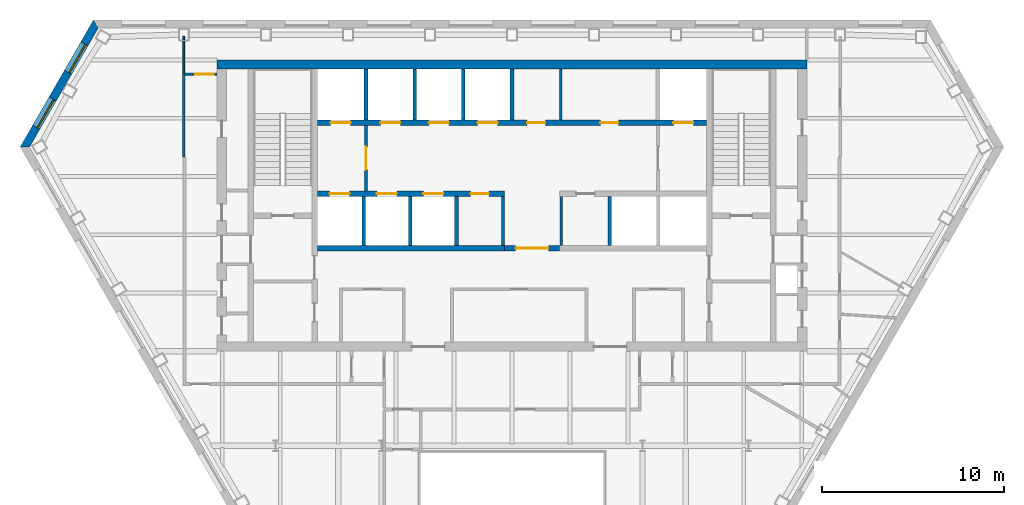
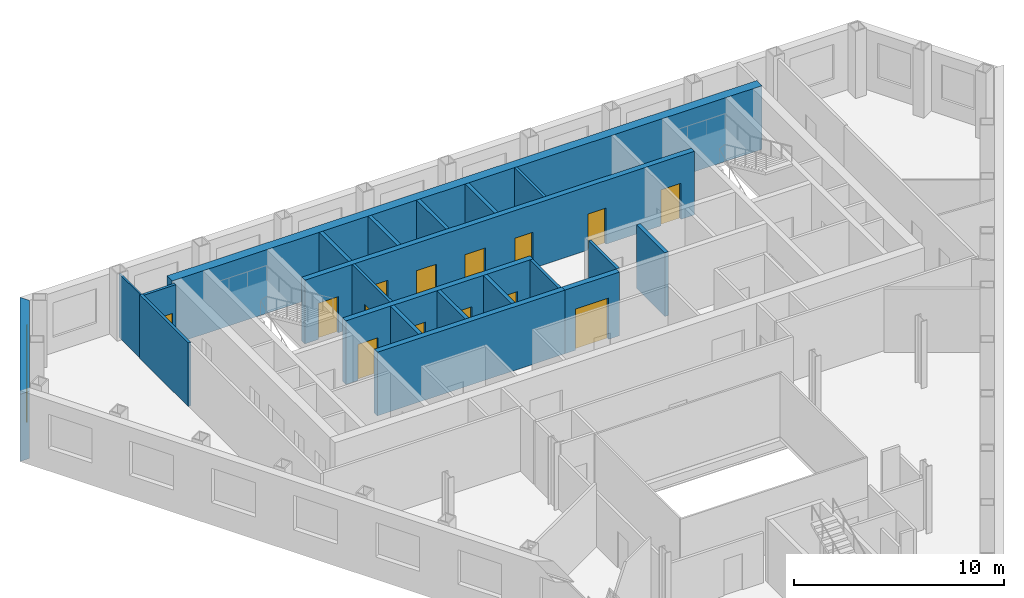
# One storey, part 6 of 11: 21 walls, 14 doors, 2 windows, 16 openings.
"""IFC4 building model written with IfcOpenShell, lengths in metres."""

from ifc_helpers import new_model, si_unit, direction, frame, frame_2d, origin, place, context, subcontext, project, spatial, polyline, rectangle, outline, extrude, material, layer, layer_set, type_object, element, fill, save


model = new_model("IFC4")

# Units and contexts
model_context = context("Model", 3, precision=1e-05, world=origin(), true_north=direction((0.0, 1.0)))
body_context = subcontext(model_context, "Body", "Model", "MODEL_VIEW")
ifc_project = project(units=[si_unit("LENGTHUNIT", "METRE"), si_unit("AREAUNIT", "SQUARE_METRE"), si_unit("VOLUMEUNIT", "CUBIC_METRE"), si_unit("PLANEANGLEUNIT", "RADIAN"), si_unit("MASSUNIT", "GRAM", prefix="KILO")], contexts=[model_context])

# Site, building, storey
site_placement = place(None, origin())
site = spatial("IfcSite", under=ifc_project, at=site_placement, CompositionType="ELEMENT")
building_placement = place(site_placement, origin())
building = spatial("IfcBuilding", under=site, at=building_placement, Name="Njiva Tower", CompositionType="ELEMENT")
storey_placement = place(building_placement, frame((0.0, 0.0, 182.7)))
storey = spatial("IfcBuildingStorey", under=building, at=storey_placement, Name="L40", CompositionType="ELEMENT", Elevation=182.7)

# Walls
ifc_material_1 = material(Name="Blockwork", Category="masonry")
ifc_layer_1 = layer(ifc_material_1, 0.15)
ifc_layer_set_1 = layer_set([ifc_layer_1], Name="Blockwork")
wall_type_1 = type_object("IfcWallType", Name="WT1 Compartment partition 150", PredefinedType="PARTITIONING", material=ifc_layer_set_1)
wall_1_placement = place(storey_placement, frame((2.675, 14.7, 0.0), z_axis=(0.0, 0.0, 1.0), x_axis=(0.0, 1.0, 0.0)))
element("IfcWall", 1, at=wall_1_placement, inside=storey, type_object=wall_type_1, Name="Partition CN5", PredefinedType="PARTITIONING", context=body_context, shape_type="SweptSolid", body=[
    extrude(rectangle(XDim=2.8, YDim=0.15, at=frame_2d((1.4, 0.0))), origin(), (0.0, 0.0, 1.0), 3.7),
])
for number, where, z_axis, x_axis, name in (
    (2, (-0.5, 7.8, 0.0), (0.0, 0.0, 1.0), (0.0, 1.0, 0.0), "Partition CS4"),
    (3, (2.7, 7.8, 0.0), (0.0, 0.0, 1.0), (0.0, 1.0, 0.0), "Partition CS5"),
):
    element("IfcWall", number, at=place(storey_placement, frame(where, z_axis=z_axis, x_axis=x_axis)), inside=storey, type_object=wall_type_1, Name=name, PredefinedType="PARTITIONING", context=body_context, shape_type="SweptSolid", body=[
        extrude(rectangle(XDim=2.7, YDim=0.15, at=frame_2d((1.35, 0.0))), origin(), (0.0, 0.0, 1.0), 3.7),
    ])
ifc_material_2 = material(Name="Concrete C60/75", Category="concrete")
ifc_layer_2 = layer(ifc_material_2, 0.5)
ifc_layer_set_2 = layer_set([ifc_layer_2], Name="Concrete C60/75")
wall_type_2 = type_object("IfcWallType", Name="WT13 Core wall 500", PredefinedType="SHEAR", material=ifc_layer_set_2)
wall_2_placement = place(storey_placement, frame((-16.2, 17.75, 0.0), z_axis=(0.0, 0.0, 1.0), x_axis=(1.0, 0.0, 0.0)))
element("IfcWall", 4, at=wall_2_placement, inside=storey, type_object=wall_type_2, Name="Core wall north", PredefinedType="SHEAR", context=body_context, shape_type="SweptSolid", body=[
    extrude(rectangle(XDim=32.4, YDim=0.5, at=frame_2d((16.2, 0.0))), origin(), (0.0, 0.0, 1.0), 3.7),
])

# Wall, opening, door
ifc_layer_3 = layer(ifc_material_1, 0.15)
ifc_layer_set_3 = layer_set([ifc_layer_3], Name="Blockwork")
wall_type_3 = type_object("IfcWallType", Name="WT2 Lobby partition 150", PredefinedType="PARTITIONING", material=ifc_layer_set_3)
wall_3_placement = place(storey_placement, frame((-8.025, 10.8, 0.0), z_axis=(0.0, 0.0, 1.0), x_axis=(0.0, 1.0, 0.0)))
wall_3 = element("IfcWall", 5, at=wall_3_placement, inside=storey, type_object=wall_type_3, Name="Firefighting lobby wall A", PredefinedType="PARTITIONING", context=body_context, shape_type="SweptSolid", body=[
    extrude(rectangle(XDim=3.6, YDim=0.15, at=frame_2d((1.8, 0.0))), origin(), (0.0, 0.0, 1.0), 3.7),
])
opening_1_placement = place(wall_3_placement, frame((1.175, 0.0, 0.0)))
opening_1 = element("IfcOpeningElement", 6, at=opening_1_placement, cuts=wall_3, Name="Opening S13-D913", PredefinedType="OPENING", context=body_context, shape_type="SweptSolid", body=[
    extrude(rectangle(XDim=1.25, YDim=2.1, at=frame_2d((0.625, 1.05))), frame((0.0, 0.085, 0.0), z_axis=(0.0, -1.0, 0.0), x_axis=(1.0, 0.0, 0.0)), (0.0, 0.0, 1.0), 0.17),
])
ifc_material_3 = material(Name="Glazed steel fire door", Category="steel")
door_type_1 = type_object("IfcDoorType", Name="D8 Vestibule corridor door 1250x2100 glazed", OperationType="SINGLE_SWING_LEFT", PredefinedType="DOOR", material=ifc_material_3)
door_1_placement = place(opening_1_placement, origin())
door_1 = element("IfcDoor", 7, at=door_1_placement, inside=storey, type_object=door_type_1, Name="Stair vestibule corridor door", OperationType="SINGLE_SWING_RIGHT", OverallHeight=2.1, OverallWidth=1.25, PredefinedType="DOOR", context=body_context, shape_type="SweptSolid", body=[
    extrude(rectangle(XDim=1.25, YDim=2.1, at=frame_2d((0.625, 1.05))), frame((0.0, 0.025, 0.0), z_axis=(0.0, -1.0, 0.0), x_axis=(1.0, 0.0, 0.0)), (0.0, 0.0, 1.0), 0.05),
])
fill(opening_1, door_1)

# Walls
ifc_material_4 = material(Name="Gypsum board on steel studs", Category="gypsum")
ifc_layer_4 = layer(ifc_material_4, 0.1)
ifc_layer_set_4 = layer_set([ifc_layer_4], Name="Gypsum board on steel studs")
wall_type_4 = type_object("IfcWallType", Name="WT20 Gypsum partition 100", PredefinedType="PARTITIONING", material=ifc_layer_set_4)
wall_4_placement = place(storey_placement, frame((-18.034, 17.297, 0.0), z_axis=(0.0, 0.0, 1.0), x_axis=(0.0, 1.0, 0.0)))
element("IfcWall", 8, at=wall_4_placement, inside=storey, type_object=wall_type_4, Name="Partition S13-P002", PredefinedType="PARTITIONING", context=body_context, shape_type="SweptSolid", body=[
    extrude(rectangle(XDim=2.003, YDim=0.1, at=frame_2d((1.0015, 0.0))), origin(), (0.0, 0.0, 1.0), 3.7),
])
ifc_layer_5 = layer(ifc_material_4, 0.15)
ifc_layer_set_5 = layer_set([ifc_layer_5], Name="Gypsum board on steel studs")
wall_type_5 = type_object("IfcWallType", Name="WT21 Compartment wall 150", PredefinedType="PARTITIONING", material=ifc_layer_set_5)
wall_5_placement = place(storey_placement, frame((-18.034, 12.677, 0.0), z_axis=(0.0, 0.0, 1.0), x_axis=(0.0, 1.0, 0.0)))
element("IfcWall", 9, at=wall_5_placement, inside=storey, type_object=wall_type_5, Name="Partition S13-P001", PredefinedType="PARTITIONING", context=body_context, shape_type="SweptSolid", body=[
    extrude(rectangle(XDim=4.62, YDim=0.15, at=frame_2d((2.31, 0.0))), origin(), (0.0, 0.0, 1.0), 3.7),
])

# Wall, opening, door
wall_6_placement = place(storey_placement, frame((-17.959, 17.222, 0.0), z_axis=(0.0, 0.0, 1.0), x_axis=(1.0, 0.0, 0.0)))
wall_6 = element("IfcWall", 10, at=wall_6_placement, inside=storey, type_object=wall_type_5, Name="Partition S13-P004", PredefinedType="PARTITIONING", context=body_context, shape_type="SweptSolid", body=[
    extrude(rectangle(XDim=1.759, YDim=0.15, at=frame_2d((0.8795, 0.0))), origin(), (0.0, 0.0, 1.0), 3.7),
])
opening_2_placement = place(wall_6_placement, frame((0.559, 0.0, 0.0)))
opening_2 = element("IfcOpeningElement", 11, at=opening_2_placement, cuts=wall_6, Name="Opening S13-D001", PredefinedType="OPENING", context=body_context, shape_type="SweptSolid", body=[
    extrude(rectangle(XDim=1.0, YDim=2.1, at=frame_2d((0.5, 1.05))), frame((0.0, 0.085, 0.0), z_axis=(0.0, -1.0, 0.0), x_axis=(1.0, 0.0, 0.0)), (0.0, 0.0, 1.0), 0.17),
])
ifc_material_5 = material(Name="Steel fire door set", Category="steel")
door_type_2 = type_object("IfcDoorType", Name="D37 Fire door 1000x2100", OperationType="SINGLE_SWING_LEFT", PredefinedType="DOOR", material=ifc_material_5)
door_2_placement = place(opening_2_placement, origin())
door_2 = element("IfcDoor", 12, at=door_2_placement, inside=storey, type_object=door_type_2, Name="Door S13-D001", OperationType="SINGLE_SWING_LEFT", OverallHeight=2.1, OverallWidth=1.0, PredefinedType="DOOR", context=body_context, shape_type="SweptSolid", body=[
    extrude(rectangle(XDim=1.0, YDim=2.1, at=frame_2d((0.5, 1.05))), frame((0.0, 0.025, 0.0), z_axis=(0.0, -1.0, 0.0), x_axis=(1.0, 0.0, 0.0)), (0.0, 0.0, 1.0), 0.05),
])
fill(opening_2, door_2)

ifc_layer_6 = layer(ifc_material_1, 0.3)
ifc_layer_set_6 = layer_set([ifc_layer_6], Name="Blockwork")
wall_type_6 = type_object("IfcWallType", Name="WT5 Lobby partition 300", PredefinedType="PARTITIONING", material=ifc_layer_set_6)
wall_7_placement = place(storey_placement, frame((-0.4, 7.65, 0.0), z_axis=(0.0, 0.0, 1.0), x_axis=(1.0, 0.0, 0.0)))
wall_7 = element("IfcWall", 13, at=wall_7_placement, inside=storey, type_object=wall_type_6, Name="Lift lobby screen wall", PredefinedType="PARTITIONING", context=body_context, shape_type="SweptSolid", body=[
    extrude(rectangle(XDim=3.0, YDim=0.3, at=frame_2d((1.5, 0.0))), origin(), (0.0, 0.0, 1.0), 3.7),
])
opening_3_placement = place(wall_7_placement, frame((0.6, 0.0, 0.0)))
opening_3 = element("IfcOpeningElement", 14, at=opening_3_placement, cuts=wall_7, Name="Opening S13-D936", PredefinedType="OPENING", context=body_context, shape_type="SweptSolid", body=[
    extrude(rectangle(XDim=1.8, YDim=2.4, at=frame_2d((0.9, 1.2))), frame((0.0, 0.16, 0.0), z_axis=(0.0, -1.0, 0.0), x_axis=(1.0, 0.0, 0.0)), (0.0, 0.0, 1.0), 0.32),
])
ifc_material_6 = material(Name="Steel and glass door", Category="steel")
door_type_3 = type_object("IfcDoorType", Name="D3 Core entrance door 1800x2400", OperationType="DOUBLE_DOOR_SINGLE_SWING", PredefinedType="DOOR", material=ifc_material_6)
door_3_placement = place(opening_3_placement, origin())
door_3 = element("IfcDoor", 15, at=door_3_placement, inside=storey, type_object=door_type_3, Name="Core entrance door", OperationType="DOUBLE_DOOR_SINGLE_SWING", OverallHeight=2.4, OverallWidth=1.8, PredefinedType="DOOR", context=body_context, shape_type="SweptSolid", body=[
    extrude(rectangle(XDim=1.8, YDim=2.4, at=frame_2d((0.9, 1.2))), frame((0.0, 0.025, 0.0), z_axis=(0.0, -1.0, 0.0), x_axis=(1.0, 0.0, 0.0)), (0.0, 0.0, 1.0), 0.05),
])
fill(opening_3, door_3)

# Walls
ifc_material_7 = material(Name="Concrete C40/50", Category="concrete")
ifc_layer_7 = layer(ifc_material_7, 0.2)
ifc_layer_set_7 = layer_set([ifc_layer_7], Name="Concrete C40/50")
wall_type_7 = type_object("IfcWallType", Name="WT6 Lift shaft wall 200", PredefinedType="SHEAR", material=ifc_layer_set_7)
for number, where, z_axis, x_axis, name in (
    (16, (-8.025, 14.7, 0.0), (0.0, 0.0, 1.0), (0.0, 1.0, 0.0), "Shaft wall CN1"),
    (17, (-5.35, 14.7, 0.0), (0.0, 0.0, 1.0), (0.0, 1.0, 0.0), "Shaft wall CN2"),
    (18, (-2.675, 14.7, 0.0), (0.0, 0.0, 1.0), (0.0, 1.0, 0.0), "Shaft wall CN3"),
    (19, (0.0, 14.7, 0.0), (0.0, 0.0, 1.0), (0.0, 1.0, 0.0), "Shaft wall CN4"),
):
    element("IfcWall", number, at=place(storey_placement, frame(where, z_axis=z_axis, x_axis=x_axis)), inside=storey, type_object=wall_type_7, Name=name, PredefinedType="SHEAR", context=body_context, shape_type="SweptSolid", body=[
        extrude(rectangle(XDim=2.8, YDim=0.2, at=frame_2d((1.4, 0.0))), origin(), (0.0, 0.0, 1.0), 3.7),
    ])
for number, where, z_axis, x_axis, name in (
    (20, (-8.15, 7.8, 0.0), (0.0, 0.0, 1.0), (0.0, 1.0, 0.0), "Shaft wall CS1"),
    (21, (-5.6, 7.8, 0.0), (0.0, 0.0, 1.0), (0.0, 1.0, 0.0), "Shaft wall CS2"),
    (22, (-3.05, 7.8, 0.0), (0.0, 0.0, 1.0), (0.0, 1.0, 0.0), "Shaft wall CS3"),
    (23, (5.3667, 7.8, 0.0), (0.0, 0.0, 1.0), (0.0, 1.0, 0.0), "Shaft wall CS6"),
):
    element("IfcWall", number, at=place(storey_placement, frame(where, z_axis=z_axis, x_axis=x_axis)), inside=storey, type_object=wall_type_7, Name=name, PredefinedType="SHEAR", context=body_context, shape_type="SweptSolid", body=[
        extrude(rectangle(XDim=2.7, YDim=0.2, at=frame_2d((1.35, 0.0))), origin(), (0.0, 0.0, 1.0), 3.7),
    ])

# Wall, openings, doors
ifc_layer_8 = layer(ifc_material_7, 0.3)
ifc_layer_set_8 = layer_set([ifc_layer_8], Name="Concrete C40/50")
wall_type_8 = type_object("IfcWallType", Name="WT7 Lift shaft wall 300", PredefinedType="SHEAR", material=ifc_layer_set_8)
wall_8_placement = place(storey_placement, frame((-10.7, 14.55, 0.0), z_axis=(0.0, 0.0, 1.0), x_axis=(1.0, 0.0, 0.0)))
wall_8 = element("IfcWall", 24, at=wall_8_placement, inside=storey, type_object=wall_type_8, Name="Shaft wall north row lobby side", PredefinedType="SHEAR", context=body_context, shape_type="SweptSolid", body=[
    extrude(rectangle(XDim=21.4, YDim=0.3, at=frame_2d((10.7, 0.0))), origin(), (0.0, 0.0, 1.0), 3.7),
])
opening_4_placement = place(wall_8_placement, frame((0.7375, 0.0, 0.0)))
opening_4 = element("IfcOpeningElement", 25, at=opening_4_placement, cuts=wall_8, Name="Opening S13-D901", PredefinedType="OPENING", context=body_context, shape_type="SweptSolid", body=[
    extrude(rectangle(XDim=1.1, YDim=2.1, at=frame_2d((0.55, 1.05))), frame((0.0, 0.16, 0.0), z_axis=(0.0, -1.0, 0.0), x_axis=(1.0, 0.0, 0.0)), (0.0, 0.0, 1.0), 0.32),
])
opening_5_placement = place(wall_8_placement, frame((3.4625, 0.0, 0.0)))
opening_5 = element("IfcOpeningElement", 26, at=opening_5_placement, cuts=wall_8, Name="Opening S13-D902", PredefinedType="OPENING", context=body_context, shape_type="SweptSolid", body=[
    extrude(rectangle(XDim=1.1, YDim=2.1, at=frame_2d((0.55, 1.05))), frame((0.0, 0.16, 0.0), z_axis=(0.0, -1.0, 0.0), x_axis=(1.0, 0.0, 0.0)), (0.0, 0.0, 1.0), 0.32),
])
opening_6_placement = place(wall_8_placement, frame((6.1375, 0.0, 0.0)))
opening_6 = element("IfcOpeningElement", 27, at=opening_6_placement, cuts=wall_8, Name="Opening S13-D903", PredefinedType="OPENING", context=body_context, shape_type="SweptSolid", body=[
    extrude(rectangle(XDim=1.1, YDim=2.1, at=frame_2d((0.55, 1.05))), frame((0.0, 0.16, 0.0), z_axis=(0.0, -1.0, 0.0), x_axis=(1.0, 0.0, 0.0)), (0.0, 0.0, 1.0), 0.32),
])
opening_7_placement = place(wall_8_placement, frame((8.8125, 0.0, 0.0)))
opening_7 = element("IfcOpeningElement", 28, at=opening_7_placement, cuts=wall_8, Name="Opening S13-D904", PredefinedType="OPENING", context=body_context, shape_type="SweptSolid", body=[
    extrude(rectangle(XDim=1.1, YDim=2.1, at=frame_2d((0.55, 1.05))), frame((0.0, 0.16, 0.0), z_axis=(0.0, -1.0, 0.0), x_axis=(1.0, 0.0, 0.0)), (0.0, 0.0, 1.0), 0.32),
])
opening_8_placement = place(wall_8_placement, frame((19.5625, 0.0, 0.0)))
opening_8 = element("IfcOpeningElement", 29, at=opening_8_placement, cuts=wall_8, Name="Opening S13-D905", PredefinedType="OPENING", context=body_context, shape_type="SweptSolid", body=[
    extrude(rectangle(XDim=1.1, YDim=2.1, at=frame_2d((0.55, 1.05))), frame((0.0, 0.16, 0.0), z_axis=(0.0, -1.0, 0.0), x_axis=(1.0, 0.0, 0.0)), (0.0, 0.0, 1.0), 0.32),
])
opening_9_placement = place(wall_8_placement, frame((11.5375, 0.0, 0.0)))
opening_9 = element("IfcOpeningElement", 30, at=opening_9_placement, cuts=wall_8, Name="Opening S13-D909", PredefinedType="OPENING", context=body_context, shape_type="SweptSolid", body=[
    extrude(rectangle(XDim=1.0, YDim=2.1, at=frame_2d((0.5, 1.05))), frame((0.0, 0.16, 0.0), z_axis=(0.0, -1.0, 0.0), x_axis=(1.0, 0.0, 0.0)), (0.0, 0.0, 1.0), 0.32),
])
opening_10_placement = place(wall_8_placement, frame((15.55, 0.0, 0.0)))
opening_10 = element("IfcOpeningElement", 31, at=opening_10_placement, cuts=wall_8, Name="Opening S13-D910", PredefinedType="OPENING", context=body_context, shape_type="SweptSolid", body=[
    extrude(rectangle(XDim=1.0, YDim=2.1, at=frame_2d((0.5, 1.05))), frame((0.0, 0.16, 0.0), z_axis=(0.0, -1.0, 0.0), x_axis=(1.0, 0.0, 0.0)), (0.0, 0.0, 1.0), 0.32),
])
ifc_material_8 = material(Name="Steel door, painted", Category="steel")
door_type_4 = type_object("IfcDoorType", Name="D5 Steel door 1000x2100", OperationType="SINGLE_SWING_LEFT", PredefinedType="DOOR", material=ifc_material_8)
door_4_placement = place(opening_9_placement, origin())
door_4 = element("IfcDoor", 32, at=door_4_placement, inside=storey, type_object=door_type_4, Name="Quiet room door", OperationType="SINGLE_SWING_LEFT", OverallHeight=2.1, OverallWidth=1.0, PredefinedType="DOOR", context=body_context, shape_type="SweptSolid", body=[
    extrude(rectangle(XDim=1.0, YDim=2.1, at=frame_2d((0.5, 1.05))), frame((0.0, 0.025, 0.0), z_axis=(0.0, -1.0, 0.0), x_axis=(1.0, 0.0, 0.0)), (0.0, 0.0, 1.0), 0.05),
])
fill(opening_9, door_4)
door_5_placement = place(opening_10_placement, origin())
door_5 = element("IfcDoor", 33, at=door_5_placement, inside=storey, type_object=door_type_4, Name="Prayer room door", OperationType="SINGLE_SWING_LEFT", OverallHeight=2.1, OverallWidth=1.0, PredefinedType="DOOR", context=body_context, shape_type="SweptSolid", body=[
    extrude(rectangle(XDim=1.0, YDim=2.1, at=frame_2d((0.5, 1.05))), frame((0.0, 0.025, 0.0), z_axis=(0.0, -1.0, 0.0), x_axis=(1.0, 0.0, 0.0)), (0.0, 0.0, 1.0), 0.05),
])
fill(opening_10, door_5)
ifc_material_9 = material(Name="Stainless steel sliding door", Category="steel")
door_type_5 = type_object("IfcDoorType", Name="LD Lift landing door 1100x2100", OperationType="SLIDING_TO_LEFT", PredefinedType="DOOR", material=ifc_material_9)
door_6_placement = place(opening_4_placement, origin())
door_6 = element("IfcDoor", 34, at=door_6_placement, inside=storey, type_object=door_type_5, Name="Lift landing door FF1", OperationType="SLIDING_TO_LEFT", OverallHeight=2.1, OverallWidth=1.1, PredefinedType="DOOR", context=body_context, shape_type="SweptSolid", body=[
    extrude(rectangle(XDim=1.1, YDim=2.1, at=frame_2d((0.55, 1.05))), frame((0.0, 0.025, 0.0), z_axis=(0.0, -1.0, 0.0), x_axis=(1.0, 0.0, 0.0)), (0.0, 0.0, 1.0), 0.05),
])
fill(opening_4, door_6)
door_7_placement = place(opening_5_placement, origin())
door_7 = element("IfcDoor", 35, at=door_7_placement, inside=storey, type_object=door_type_5, Name="Lift landing door MB4", OperationType="SLIDING_TO_LEFT", OverallHeight=2.1, OverallWidth=1.1, PredefinedType="DOOR", context=body_context, shape_type="SweptSolid", body=[
    extrude(rectangle(XDim=1.1, YDim=2.1, at=frame_2d((0.55, 1.05))), frame((0.0, 0.025, 0.0), z_axis=(0.0, -1.0, 0.0), x_axis=(1.0, 0.0, 0.0)), (0.0, 0.0, 1.0), 0.05),
])
fill(opening_5, door_7)
door_8_placement = place(opening_6_placement, origin())
door_8 = element("IfcDoor", 36, at=door_8_placement, inside=storey, type_object=door_type_5, Name="Lift landing door MB5", OperationType="SLIDING_TO_LEFT", OverallHeight=2.1, OverallWidth=1.1, PredefinedType="DOOR", context=body_context, shape_type="SweptSolid", body=[
    extrude(rectangle(XDim=1.1, YDim=2.1, at=frame_2d((0.55, 1.05))), frame((0.0, 0.025, 0.0), z_axis=(0.0, -1.0, 0.0), x_axis=(1.0, 0.0, 0.0)), (0.0, 0.0, 1.0), 0.05),
])
fill(opening_6, door_8)
door_9_placement = place(opening_7_placement, origin())
door_9 = element("IfcDoor", 37, at=door_9_placement, inside=storey, type_object=door_type_5, Name="Lift landing door MB6", OperationType="SLIDING_TO_LEFT", OverallHeight=2.1, OverallWidth=1.1, PredefinedType="DOOR", context=body_context, shape_type="SweptSolid", body=[
    extrude(rectangle(XDim=1.1, YDim=2.1, at=frame_2d((0.55, 1.05))), frame((0.0, 0.025, 0.0), z_axis=(0.0, -1.0, 0.0), x_axis=(1.0, 0.0, 0.0)), (0.0, 0.0, 1.0), 0.05),
])
fill(opening_7, door_9)
door_10_placement = place(opening_8_placement, origin())
door_10 = element("IfcDoor", 38, at=door_10_placement, inside=storey, type_object=door_type_5, Name="Lift landing door FF2", OperationType="SLIDING_TO_LEFT", OverallHeight=2.1, OverallWidth=1.1, PredefinedType="DOOR", context=body_context, shape_type="SweptSolid", body=[
    extrude(rectangle(XDim=1.1, YDim=2.1, at=frame_2d((0.55, 1.05))), frame((0.0, 0.025, 0.0), z_axis=(0.0, -1.0, 0.0), x_axis=(1.0, 0.0, 0.0)), (0.0, 0.0, 1.0), 0.05),
])
fill(opening_8, door_10)

wall_9_placement = place(storey_placement, frame((-10.7, 10.65, 0.0), z_axis=(0.0, 0.0, 1.0), x_axis=(1.0, 0.0, 0.0)))
wall_9 = element("IfcWall", 39, at=wall_9_placement, inside=storey, type_object=wall_type_8, Name="Shaft wall south row lobby side W", PredefinedType="SHEAR", context=body_context, shape_type="SweptSolid", body=[
    extrude(rectangle(XDim=10.3, YDim=0.3, at=frame_2d((5.15, 0.0))), origin(), (0.0, 0.0, 1.0), 3.7),
])
opening_11_placement = place(wall_9_placement, frame((0.675, 0.0, 0.0)))
opening_11 = element("IfcOpeningElement", 40, at=opening_11_placement, cuts=wall_9, Name="Opening S13-D906", PredefinedType="OPENING", context=body_context, shape_type="SweptSolid", body=[
    extrude(rectangle(XDim=1.1, YDim=2.1, at=frame_2d((0.55, 1.05))), frame((0.0, 0.16, 0.0), z_axis=(0.0, -1.0, 0.0), x_axis=(1.0, 0.0, 0.0)), (0.0, 0.0, 1.0), 0.32),
])
opening_12_placement = place(wall_9_placement, frame((3.275, 0.0, 0.0)))
opening_12 = element("IfcOpeningElement", 41, at=opening_12_placement, cuts=wall_9, Name="Opening S13-D907", PredefinedType="OPENING", context=body_context, shape_type="SweptSolid", body=[
    extrude(rectangle(XDim=1.1, YDim=2.1, at=frame_2d((0.55, 1.05))), frame((0.0, 0.16, 0.0), z_axis=(0.0, -1.0, 0.0), x_axis=(1.0, 0.0, 0.0)), (0.0, 0.0, 1.0), 0.32),
])
opening_13_placement = place(wall_9_placement, frame((5.825, 0.0, 0.0)))
opening_13 = element("IfcOpeningElement", 42, at=opening_13_placement, cuts=wall_9, Name="Opening S13-D908", PredefinedType="OPENING", context=body_context, shape_type="SweptSolid", body=[
    extrude(rectangle(XDim=1.1, YDim=2.1, at=frame_2d((0.55, 1.05))), frame((0.0, 0.16, 0.0), z_axis=(0.0, -1.0, 0.0), x_axis=(1.0, 0.0, 0.0)), (0.0, 0.0, 1.0), 0.32),
])
opening_14_placement = place(wall_9_placement, frame((8.425, 0.0, 0.0)))
opening_14 = element("IfcOpeningElement", 43, at=opening_14_placement, cuts=wall_9, Name="Opening S13-D911", PredefinedType="OPENING", context=body_context, shape_type="SweptSolid", body=[
    extrude(rectangle(XDim=1.0, YDim=2.1, at=frame_2d((0.5, 1.05))), frame((0.0, 0.16, 0.0), z_axis=(0.0, -1.0, 0.0), x_axis=(1.0, 0.0, 0.0)), (0.0, 0.0, 1.0), 0.32),
])
door_11_placement = place(opening_14_placement, origin())
door_11 = element("IfcDoor", 44, at=door_11_placement, inside=storey, type_object=door_type_4, Name="Business centre door", OperationType="SINGLE_SWING_RIGHT", OverallHeight=2.1, OverallWidth=1.0, PredefinedType="DOOR", context=body_context, shape_type="SweptSolid", body=[
    extrude(rectangle(XDim=1.0, YDim=2.1, at=frame_2d((0.5, 1.05))), frame((0.0, 0.025, 0.0), z_axis=(0.0, -1.0, 0.0), x_axis=(1.0, 0.0, 0.0)), (0.0, 0.0, 1.0), 0.05),
])
fill(opening_14, door_11)
door_12_placement = place(opening_11_placement, origin())
door_12 = element("IfcDoor", 45, at=door_12_placement, inside=storey, type_object=door_type_5, Name="Lift landing door MB1", OperationType="SLIDING_TO_LEFT", OverallHeight=2.1, OverallWidth=1.1, PredefinedType="DOOR", context=body_context, shape_type="SweptSolid", body=[
    extrude(rectangle(XDim=1.1, YDim=2.1, at=frame_2d((0.55, 1.05))), frame((0.0, 0.025, 0.0), z_axis=(0.0, -1.0, 0.0), x_axis=(1.0, 0.0, 0.0)), (0.0, 0.0, 1.0), 0.05),
])
fill(opening_11, door_12)
door_13_placement = place(opening_12_placement, origin())
door_13 = element("IfcDoor", 46, at=door_13_placement, inside=storey, type_object=door_type_5, Name="Lift landing door MB2", OperationType="SLIDING_TO_LEFT", OverallHeight=2.1, OverallWidth=1.1, PredefinedType="DOOR", context=body_context, shape_type="SweptSolid", body=[
    extrude(rectangle(XDim=1.1, YDim=2.1, at=frame_2d((0.55, 1.05))), frame((0.0, 0.025, 0.0), z_axis=(0.0, -1.0, 0.0), x_axis=(1.0, 0.0, 0.0)), (0.0, 0.0, 1.0), 0.05),
])
fill(opening_12, door_13)
door_14_placement = place(opening_13_placement, origin())
door_14 = element("IfcDoor", 47, at=door_14_placement, inside=storey, type_object=door_type_5, Name="Lift landing door MB3", OperationType="SLIDING_TO_LEFT", OverallHeight=2.1, OverallWidth=1.1, PredefinedType="DOOR", context=body_context, shape_type="SweptSolid", body=[
    extrude(rectangle(XDim=1.1, YDim=2.1, at=frame_2d((0.55, 1.05))), frame((0.0, 0.025, 0.0), z_axis=(0.0, -1.0, 0.0), x_axis=(1.0, 0.0, 0.0)), (0.0, 0.0, 1.0), 0.05),
])
fill(opening_13, door_14)

# Wall
wall_10_placement = place(storey_placement, frame((-10.7, 7.65, 0.0), z_axis=(0.0, 0.0, 1.0), x_axis=(1.0, 0.0, 0.0)))
element("IfcWall", 48, at=wall_10_placement, inside=storey, type_object=wall_type_8, Name="Shaft wall south row back W", PredefinedType="SHEAR", context=body_context, shape_type="SweptSolid", body=[
    extrude(rectangle(XDim=10.3, YDim=0.3, at=frame_2d((5.15, 0.0))), origin(), (0.0, 0.0, 1.0), 3.7),
])

# Wall, openings, windows
ifc_material_10 = material(Name="Brick masonry, buff", Category="masonry")
ifc_layer_9 = layer(ifc_material_10, 0.45)
ifc_layer_set_9 = layer_set([ifc_layer_9], Name="Brick masonry, buff")
wall_type_9 = type_object("IfcWallType", Name="WT94 Brick pier and spandrel wall 450, buff", PredefinedType="SOLIDWALL", material=ifc_layer_set_9)
wall_11_placement = place(storey_placement, frame((-22.8713, 19.9728, -0.4), z_axis=(0.0, 0.0, 1.0), x_axis=(-0.500003961136, -0.86602311681, 0.0)))
wall_11 = element("IfcWall", 49, at=wall_11_placement, inside=storey, type_object=wall_type_9, Name="Facade wall NW", PredefinedType="SOLIDWALL", context=body_context, shape_type="SweptSolid", body=[
    extrude(outline(polyline([(-0.1299, -0.225), (7.93, -0.225), (7.6702, 0.225), (0.1299, 0.225), (-0.1299, -0.225)])), origin(), (0.0, 0.0, 1.0), 3.9),
])
opening_15_placement = place(wall_11_placement, frame((1.2544, 0.0, 1.3)))
opening_15 = element("IfcOpeningElement", 50, at=opening_15_placement, cuts=wall_11, Name="Opening S13-W10", PredefinedType="OPENING", context=body_context, shape_type="SweptSolid", body=[
    extrude(rectangle(XDim=1.8, YDim=2.0, at=frame_2d((0.9, 1.0))), frame((0.0, 0.235, 0.0), z_axis=(0.0, -1.0, 0.0), x_axis=(1.0, 0.0, 0.0)), (0.0, 0.0, 1.0), 0.47),
])
opening_16_placement = place(wall_11_placement, frame((4.7457, 0.0, 1.3)))
opening_16 = element("IfcOpeningElement", 51, at=opening_16_placement, cuts=wall_11, Name="Opening S13-W11", PredefinedType="OPENING", context=body_context, shape_type="SweptSolid", body=[
    extrude(rectangle(XDim=1.8, YDim=2.0, at=frame_2d((0.9, 1.0))), frame((0.0, 0.235, 0.0), z_axis=(0.0, -1.0, 0.0), x_axis=(1.0, 0.0, 0.0)), (0.0, 0.0, 1.0), 0.47),
])
ifc_material_11 = material(Name="Clear glazing in aluminium frame", Category="aluminium")
window_type = type_object("IfcWindowType", Name="W94 Deep-set window 1800x2000", PartitioningType="SINGLE_PANEL", PredefinedType="WINDOW", material=ifc_material_11)
window_1_placement = place(opening_15_placement, origin())
window_1 = element("IfcWindow", 52, at=window_1_placement, inside=storey, type_object=window_type, Name="Window", OverallHeight=2.0, OverallWidth=1.8, PartitioningType="SINGLE_PANEL", PredefinedType="WINDOW", context=body_context, shape_type="SweptSolid", body=[
    extrude(rectangle(XDim=1.8, YDim=2.0, at=frame_2d((0.9, 1.0))), frame((0.0, 0.105, 0.0), z_axis=(0.0, -1.0, 0.0), x_axis=(1.0, 0.0, 0.0)), (0.0, 0.0, 1.0), 0.06),
])
fill(opening_15, window_1)
window_2_placement = place(opening_16_placement, origin())
window_2 = element("IfcWindow", 53, at=window_2_placement, inside=storey, type_object=window_type, Name="Window", OverallHeight=2.0, OverallWidth=1.8, PartitioningType="SINGLE_PANEL", PredefinedType="WINDOW", context=body_context, shape_type="SweptSolid", body=[
    extrude(rectangle(XDim=1.8, YDim=2.0, at=frame_2d((0.9, 1.0))), frame((0.0, 0.105, 0.0), z_axis=(0.0, -1.0, 0.0), x_axis=(1.0, 0.0, 0.0)), (0.0, 0.0, 1.0), 0.06),
])
fill(opening_16, window_2)

save(model, "model.ifc")
